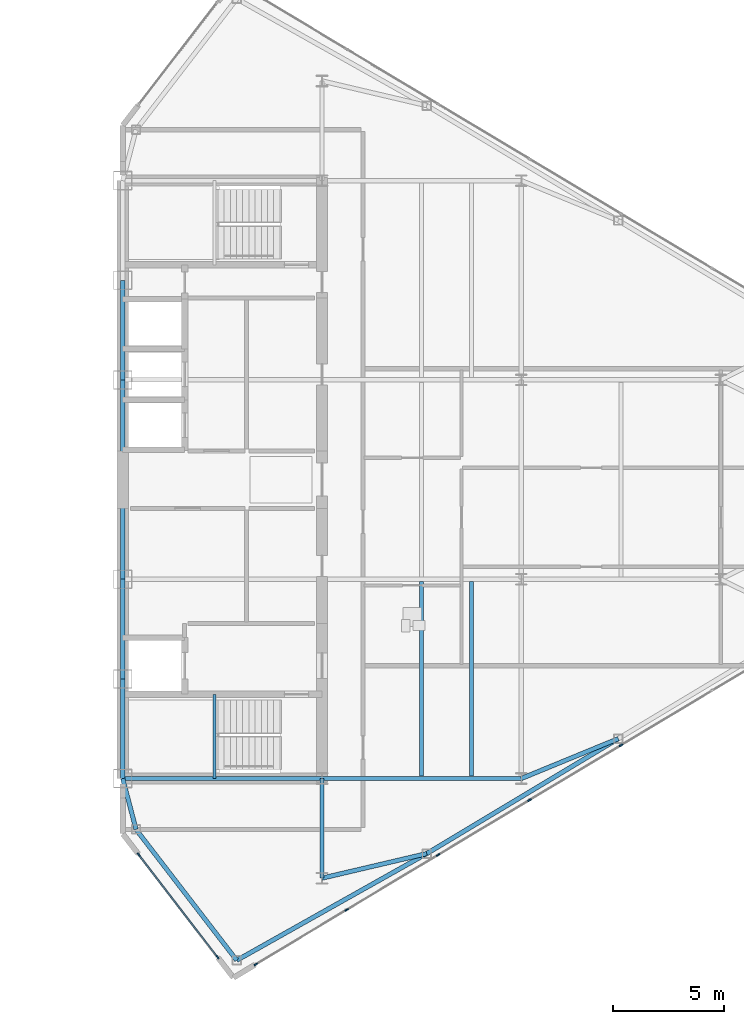
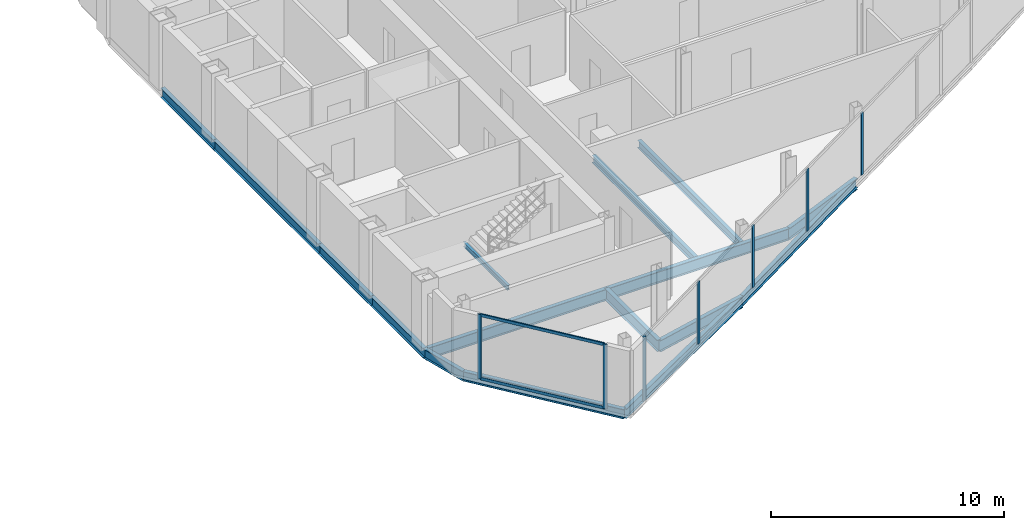
# One storey, part 11 of 25: 16 beams, 9 members, 2 elements without a shape of their own.
"""IFC4 building model written with IfcOpenShell, lengths in metres."""

from ifc_helpers import new_model, si_unit, direction, frame, origin, origin_2d, place, context, subcontext, project, spatial, rectangle, i_section, extrude, source, transform, mapped, material, layer, layer_set, material_profile, profile_set, type_object, type_shapes, element, aggregate, save


model = new_model("IFC4")

# Units and contexts
model_context = context("Model", 3, precision=1e-05, world=origin(), true_north=direction((0.0, 1.0)))
body_context = subcontext(model_context, "Body", "Model", "MODEL_VIEW")
ifc_project = project(units=[si_unit("LENGTHUNIT", "METRE"), si_unit("AREAUNIT", "SQUARE_METRE"), si_unit("VOLUMEUNIT", "CUBIC_METRE"), si_unit("PLANEANGLEUNIT", "RADIAN"), si_unit("MASSUNIT", "GRAM", prefix="KILO")], contexts=[model_context])

# Site, building, storey
site_placement = place(None, origin())
site = spatial("IfcSite", under=ifc_project, at=site_placement, CompositionType="ELEMENT")
building_placement = place(site_placement, origin())
building = spatial("IfcBuilding", under=site, at=building_placement, Name="Seokmaru Belvedere", CompositionType="ELEMENT")
storey_placement = place(building_placement, frame((0.0, 0.0, 213.89990234375)))
storey = spatial("IfcBuildingStorey", under=building, at=storey_placement, Name="L57", CompositionType="ELEMENT", Elevation=213.89990234375)

# Beams
ifc_material_1 = material(Name="Steel SM355 (355 MPa)", Category="steel")
ifc_material_profile_1 = material_profile(ifc_material_1, i_section(OverallWidth=0.199951171875, OverallDepth=0.5, WebThickness=0.010009765625, FlangeThickness=0.01611328125, at=origin_2d()), Name="H-500x200x10x16")
ifc_profile_set_1 = profile_set([ifc_material_profile_1], Name="Steel SM355 (355 MPa)")
beam_type_1 = type_object("IfcBeamType", Name="Perimeter Spandrel Beam H-500", PredefinedType="SPANDREL", material=ifc_profile_set_1)
shared_shape_1 = source(origin(), body_context, "Body", "SweptSolid", [
    extrude(i_section(OverallWidth=0.199951171875, OverallDepth=0.5, WebThickness=0.010009765625, FlangeThickness=0.01611328125, at=origin_2d()), origin(), (0.0, 0.0, 1.0), 4.5),
])
for number, where, z_axis, x_axis, name in (
    (1, (27.5, -13.5, -0.469970703125), (0.0, 1.0, 0.0), (-1.0, 0.0, 0.0), "L57 E Portal Spine Spandrel 1"),
    (2, (27.5, -9.0, -0.469970703125), (0.0, 1.0, 0.0), (-1.0, 0.0, 0.0), "L57 E Portal Spine Spandrel 2"),
    (3, (27.5, 4.5, -0.469970703125), (0.0, 1.0, 0.0), (-1.0, 0.0, 0.0), "L57 E Portal Spine Spandrel 4"),
):
    element("IfcBeam", number, at=place(storey_placement, frame(where, z_axis=z_axis, x_axis=x_axis)), inside=storey, type_object=beam_type_1, Name=name, PredefinedType="SPANDREL", context=body_context, shape_type="MappedRepresentation", body=[
        mapped(shared_shape_1, transform((0.0, 0.0, 0.0), scale=1.0)),
    ])
shared_shape_2 = source(origin(), body_context, "Body", "SweptSolid", [
    extrude(i_section(OverallWidth=0.199951171875, OverallDepth=0.5, WebThickness=0.010009765625, FlangeThickness=0.01611328125, at=origin_2d()), origin(), (0.0, 0.0, 1.0), 9.0),
])
beam_1_placement = place(storey_placement, frame((27.5, -4.5, -0.469970703125), z_axis=(0.0, 1.0, 0.0), x_axis=(-1.0, 0.0, 0.0)))
element("IfcBeam", 4, at=beam_1_placement, inside=storey, type_object=beam_type_1, Name="L57 E Portal Spine Spandrel 3", PredefinedType="SPANDREL", context=body_context, shape_type="MappedRepresentation", body=[
    mapped(shared_shape_2, transform((0.0, 0.0, 0.0), scale=1.0)),
])
ifc_material_profile_2 = material_profile(ifc_material_1, i_section(OverallWidth=0.199951171875, OverallDepth=0.60009765625, WebThickness=0.010986328125, FlangeThickness=0.01708984375, at=origin_2d()), Name="H-600x200x11x17")
ifc_profile_set_2 = profile_set([ifc_material_profile_2], Name="Steel SM355 (355 MPa)")
beam_type_2 = type_object("IfcBeamType", Name="Primary Floor Girder H-600", PredefinedType="BEAM", material=ifc_profile_set_2)
shared_shape_3 = source(origin(), body_context, "Body", "SweptSolid", [
    extrude(i_section(OverallWidth=0.199951171875, OverallDepth=0.60009765625, WebThickness=0.010986328125, FlangeThickness=0.01708984375, at=origin_2d()), origin(), (0.0, 0.0, 1.0), 9.0),
])
for number, where, z_axis, x_axis, name in (
    (5, (27.5, -13.5, -0.52001953125), (1.0, 0.0, 0.0), (0.0, 1.0, 0.0), "L57 E Core Tie Girder 1"),
    (6, (36.5, -13.5, -0.52001953125), (1.0, 0.0, 0.0), (0.0, 1.0, 0.0), "L57 E Wing Primary Girder 1"),
):
    element("IfcBeam", number, at=place(storey_placement, frame(where, z_axis=z_axis, x_axis=x_axis)), inside=storey, type_object=beam_type_2, Name=name, PredefinedType="BEAM", context=body_context, shape_type="MappedRepresentation", body=[
        mapped(shared_shape_3, transform((0.0, 0.0, 0.0), scale=1.0)),
    ])
ifc_material_profile_3 = material_profile(ifc_material_1, i_section(OverallWidth=0.18505859375, OverallDepth=0.389892578125, WebThickness=0.008056640625, FlangeThickness=0.011962890625, at=origin_2d()), Name="H-390x185x8x12")
ifc_profile_set_3 = profile_set([ifc_material_profile_3], Name="Steel SM355 (355 MPa)")
beam_type_3 = type_object("IfcBeamType", Name="Secondary Floor Joist H-350", PredefinedType="JOIST", material=ifc_profile_set_3)
shared_shape_4 = source(origin(), body_context, "Body", "SweptSolid", [
    extrude(i_section(OverallWidth=0.18505859375, OverallDepth=0.389892578125, WebThickness=0.008056640625, FlangeThickness=0.011962890625, at=origin_2d()), origin(), (0.0, 0.0, 1.0), 8.7900390625),
])
type_shapes(beam_type_3, [shared_shape_4])
for number, where, z_axis, x_axis, name in (
    (7, (43.25, -13.39501953125, -0.414794921875), (0.0, 1.0, 0.0), (-1.0, 0.0, 0.0), "L57 E Wing Inner Secondary Joist 1"),
    (8, (41.0, -13.39501953125, -0.414794921875), (0.0, 1.0, 0.0), (-1.0, 0.0, 0.0), "L57 E Secondary Floor Joist 1"),
):
    element("IfcBeam", number, at=place(storey_placement, frame(where, z_axis=z_axis, x_axis=x_axis)), inside=storey, type_object=beam_type_3, Name=name, PredefinedType="JOIST", context=body_context, shape_type="MappedRepresentation", body=[
        mapped(shared_shape_4, transform((0.0, 0.0, 0.0), scale=1.0)),
    ])
shared_shape_5 = source(origin(), body_context, "Body", "SweptSolid", [
    extrude(i_section(OverallWidth=0.199951171875, OverallDepth=0.60009765625, WebThickness=0.010986328125, FlangeThickness=0.01708984375, at=origin_2d()), origin(), (0.0, 0.0, 1.0), 4.5),
])
beam_2_placement = place(storey_placement, frame((36.5, -18.0, -0.52001953125), z_axis=(0.0, 1.0, 0.0), x_axis=(-1.0, 0.0, 0.0)))
element("IfcBeam", 9, at=beam_2_placement, inside=storey, type_object=beam_type_2, Name="L57 E Core Shoulder Girder S", PredefinedType="BEAM", context=body_context, shape_type="MappedRepresentation", body=[
    mapped(shared_shape_5, transform((0.0, 0.0, 0.0), scale=1.0)),
])
shared_shape_6 = source(origin(), body_context, "Body", "SweptSolid", [
    extrude(i_section(OverallWidth=0.199951171875, OverallDepth=0.5, WebThickness=0.010009765625, FlangeThickness=0.01611328125, at=origin_2d()), origin(), (0.0, 0.0, 1.0), 9.842041015625),
])
beam_3_placement = place(storey_placement, frame((32.649658203125, -21.71044921875, -0.469970703125), z_axis=(0.871782151818, 0.489893743349, 0.0), x_axis=(-0.489893743349, 0.871782151818, 0.0)))
element("IfcBeam", 10, at=beam_3_placement, inside=storey, type_object=beam_type_1, Name="L57 E Faceted Flank Spandrel S-1", PredefinedType="SPANDREL", context=body_context, shape_type="MappedRepresentation", body=[
    mapped(shared_shape_6, transform((0.0, 0.0, 0.0), scale=1.0)),
])
shared_shape_7 = source(origin(), body_context, "Body", "SweptSolid", [
    extrude(i_section(OverallWidth=0.199951171875, OverallDepth=0.5, WebThickness=0.010009765625, FlangeThickness=0.01611328125, at=origin_2d()), origin(), (0.0, 0.0, 1.0), 10.087646484375),
])
beam_4_placement = place(storey_placement, frame((41.229736328125, -16.888916015625, -0.469970703125), z_axis=(0.857499332045, 0.514485078056, 0.0), x_axis=(-0.514485078056, 0.857499332045, 0.0)))
element("IfcBeam", 11, at=beam_4_placement, inside=storey, type_object=beam_type_1, Name="L57 E Faceted Flank Spandrel S-2", PredefinedType="SPANDREL", context=body_context, shape_type="MappedRepresentation", body=[
    mapped(shared_shape_7, transform((0.0, 0.0, 0.0), scale=1.0)),
])
shared_shape_8 = source(origin(), body_context, "Body", "SweptSolid", [
    extrude(i_section(OverallWidth=0.199951171875, OverallDepth=0.5, WebThickness=0.010009765625, FlangeThickness=0.01611328125, at=origin_2d()), origin(), (0.0, 0.0, 1.0), 7.4619140625),
])
beam_5_placement = place(storey_placement, frame((32.649658203125, -21.71044921875, -0.469970703125), z_axis=(-0.609702854945, 0.792630070507, 0.0), x_axis=(-0.792630070507, -0.609702854945, 0.0)))
element("IfcBeam", 12, at=beam_5_placement, inside=storey, type_object=beam_type_1, Name="L57 E Shoulder Chamfer Spandrel S", PredefinedType="SPANDREL", context=body_context, shape_type="MappedRepresentation", body=[
    mapped(shared_shape_8, transform((0.0, 0.0, 0.0), scale=1.0)),
])
shared_shape_9 = source(origin(), body_context, "Body", "SweptSolid", [
    extrude(i_section(OverallWidth=0.199951171875, OverallDepth=0.5, WebThickness=0.010009765625, FlangeThickness=0.01611328125, at=origin_2d()), origin(), (0.0, 0.0, 1.0), 2.373046875),
])
type_shapes(beam_type_1, [shared_shape_1, shared_shape_2, shared_shape_6, shared_shape_7, shared_shape_8, shared_shape_9])
beam_6_placement = place(storey_placement, frame((28.10009765625, -15.7958984375, -0.469970703125), z_axis=(-0.252882558842, 0.967496982648, 0.0), x_axis=(-0.967496982648, -0.252882558842, 0.0)))
element("IfcBeam", 13, at=beam_6_placement, inside=storey, type_object=beam_type_1, Name="L57 E Shoulder Spine Spandrel S", PredefinedType="SPANDREL", context=body_context, shape_type="MappedRepresentation", body=[
    mapped(shared_shape_9, transform((0.0, 0.0, 0.0), scale=1.0)),
])
shared_shape_10 = source(origin(), body_context, "Body", "SweptSolid", [
    extrude(i_section(OverallWidth=0.199951171875, OverallDepth=0.60009765625, WebThickness=0.010986328125, FlangeThickness=0.01708984375, at=origin_2d()), origin(), (0.0, 0.0, 1.0), 4.8583984375),
])
beam_7_placement = place(storey_placement, frame((41.229736328125, -16.888916015625, -0.52001953125), z_axis=(-0.97349948295, -0.228689214211, 0.0), x_axis=(0.228689214211, -0.97349948295, 0.0)))
element("IfcBeam", 14, at=beam_7_placement, inside=storey, type_object=beam_type_2, Name="L57 E Flank Radial Floor Girder S-1", PredefinedType="BEAM", context=body_context, shape_type="MappedRepresentation", body=[
    mapped(shared_shape_10, transform((0.0, 0.0, 0.0), scale=1.0)),
])
shared_shape_11 = source(origin(), body_context, "Body", "SweptSolid", [
    extrude(i_section(OverallWidth=0.199951171875, OverallDepth=0.60009765625, WebThickness=0.010986328125, FlangeThickness=0.01708984375, at=origin_2d()), origin(), (0.0, 0.0, 1.0), 4.73583984375),
])
type_shapes(beam_type_2, [shared_shape_3, shared_shape_5, shared_shape_10, shared_shape_11])
beam_8_placement = place(storey_placement, frame((49.8798828125, -11.698974609375, -0.52001953125), z_axis=(-0.924860562953, -0.380306375301, 0.0), x_axis=(0.380306375301, -0.924860562953, 0.0)))
element("IfcBeam", 15, at=beam_8_placement, inside=storey, type_object=beam_type_2, Name="L57 E Flank Radial Floor Girder S-2", PredefinedType="BEAM", context=body_context, shape_type="MappedRepresentation", body=[
    mapped(shared_shape_11, transform((0.0, 0.0, 0.0), scale=1.0)),
])

# Curtain wall, members
ifc_material_2 = material(Name="Bronze Triple Insulating Glass", Category="glass")
ifc_layer = layer(ifc_material_2, 0.179931640625)
ifc_layer_set = layer_set([ifc_layer], Name="Bronze Triple Insulating Glass")
curtain_wall_type = type_object("IfcCurtainWallType", Name="High-Rise Wind-Corner Curtain Wall System CW-5", PredefinedType="NOTDEFINED", material=ifc_layer_set)
curtain_wall_1_placement = place(storey_placement, origin())
curtain_wall_1 = element("IfcCurtainWall", 16, at=curtain_wall_1_placement, inside=storey, type_object=curtain_wall_type, Name="L57 Curtain Wall EF1", PredefinedType="NOTDEFINED")
ifc_material_3 = material(Name="Anodised Bronze Aluminium", Category="aluminium")
ifc_material_profile_4 = material_profile(ifc_material_3, rectangle(XDim=0.06494140625, YDim=0.179931640625, at=origin_2d()), Name="CW-M-65x180")
ifc_profile_set_4 = profile_set([ifc_material_profile_4], Name="Anodised Bronze Aluminium")
member_type_1 = type_object("IfcMemberType", Name="Bronze Unitised Mullion 65x180", PredefinedType="MULLION", material=ifc_profile_set_4)
shared_shape_12 = source(origin(), body_context, "Body", "SweptSolid", [
    extrude(rectangle(XDim=0.06494140625, YDim=0.179931640625, at=origin_2d()), origin(), (0.0, 0.0, 1.0), 3.25),
])
member_1_placement = place(storey_placement, frame((37.614501953125, -19.43115234375, 0.065185546875), z_axis=(0.0, 0.0, 1.0), x_axis=(-0.514494909364, 0.85749343335, 0.0)))
member_1 = element("IfcMember", 17, at=member_1_placement, type_object=member_type_1, Name="CW:L57:EF1 Mullion 2", PredefinedType="MULLION", context=body_context, shape_type="MappedRepresentation", body=[
    mapped(shared_shape_12, transform((0.0, 0.0, 0.0), scale=1.0)),
])
member_2_placement = place(storey_placement, frame((41.7431640625, -16.9541015625, 0.065185546875), z_axis=(0.0, 0.0, 1.0), x_axis=(-0.514494909364, 0.85749343335, 0.0)))
member_2 = element("IfcMember", 18, at=member_2_placement, type_object=member_type_1, Name="CW:L57:EF1 Mullion 3", PredefinedType="MULLION", context=body_context, shape_type="MappedRepresentation", body=[
    mapped(shared_shape_12, transform((0.0, 0.0, 0.0), scale=1.0)),
])
member_3_placement = place(storey_placement, frame((45.87158203125, -14.47705078125, 0.065185546875), z_axis=(0.0, 0.0, 1.0), x_axis=(-0.514494909364, 0.85749343335, 0.0)))
member_3 = element("IfcMember", 19, at=member_3_placement, type_object=member_type_1, Name="CW:L57:EF1 Mullion 4", PredefinedType="MULLION", context=body_context, shape_type="MappedRepresentation", body=[
    mapped(shared_shape_12, transform((0.0, 0.0, 0.0), scale=1.0)),
])
member_4_placement = place(storey_placement, frame((50.0, -12.0, 0.065185546875), z_axis=(0.0, 0.0, 1.0), x_axis=(-0.514494909364, 0.85749343335, 0.0)))
member_4 = element("IfcMember", 20, at=member_4_placement, type_object=member_type_1, Name="CW:L57:EF1 Mullion 5", PredefinedType="MULLION", context=body_context, shape_type="MappedRepresentation", body=[
    mapped(shared_shape_12, transform((0.0, 0.0, 0.0), scale=1.0)),
])
shared_shape_13 = source(origin(), body_context, "Body", "SweptSolid", [
    extrude(rectangle(XDim=0.06494140625, YDim=0.179931640625, at=origin_2d()), origin(), (0.0, 0.0, 1.0), 3.380126953125),
])
type_shapes(member_type_1, [shared_shape_12, shared_shape_13])
member_5_placement = place(storey_placement, frame((33.513916015625, -21.8916015625, 0.0), z_axis=(0.0, 0.0, 1.0), x_axis=(-0.514494909364, 0.85749343335, 0.0)))
member_5 = element("IfcMember", 21, at=member_5_placement, type_object=member_type_1, Name="CW:L57:EF1 Mullion 1", PredefinedType="MULLION", context=body_context, shape_type="MappedRepresentation", body=[
    mapped(shared_shape_13, transform((0.0, 0.0, 0.0), scale=1.0)),
])
aggregate(curtain_wall_1, [member_5, member_1, member_2, member_3, member_4])

curtain_wall_2_placement = place(storey_placement, origin())
curtain_wall_2 = element("IfcCurtainWall", 22, at=curtain_wall_2_placement, inside=storey, type_object=curtain_wall_type, Name="L57 Curtain Wall EF6", PredefinedType="NOTDEFINED")
member_6_placement = place(storey_placement, frame((28.220947265625, -16.937255859375, 0.0), z_axis=(0.0, 0.0, 1.0), x_axis=(0.792631353244, 0.609701187349, 0.0)))
member_6 = element("IfcMember", 23, at=member_6_placement, type_object=member_type_1, Name="CW:L57:EF6 Mullion 1", PredefinedType="MULLION", context=body_context, shape_type="MappedRepresentation", body=[
    mapped(shared_shape_13, transform((0.0, 0.0, 0.0), scale=1.0)),
])
member_7_placement = place(storey_placement, frame((31.779052734375, -21.562744140625, 0.0), z_axis=(0.0, 0.0, 1.0), x_axis=(0.792631353244, 0.609701187349, 0.0)))
member_7 = element("IfcMember", 24, at=member_7_placement, type_object=member_type_1, Name="CW:L57:EF6 Mullion 2", PredefinedType="MULLION", context=body_context, shape_type="MappedRepresentation", body=[
    mapped(shared_shape_13, transform((0.0, 0.0, 0.0), scale=1.0)),
])
ifc_material_profile_5 = material_profile(ifc_material_3, rectangle(XDim=0.06494140625, YDim=0.14990234375, at=origin_2d()), Name="CW-T-65x150")
ifc_profile_set_5 = profile_set([ifc_material_profile_5], Name="Anodised Bronze Aluminium")
member_type_2 = type_object("IfcMemberType", Name="Bronze Unitised Transom 65x150", PredefinedType="USERDEFINED", material=ifc_profile_set_5)
shared_shape_14 = source(origin(), body_context, "Body", "SweptSolid", [
    extrude(rectangle(XDim=0.06494140625, YDim=0.14990234375, at=origin_2d()), origin(), (0.0, 0.0, 1.0), 5.77099609375),
])
type_shapes(member_type_2, [shared_shape_14])
member_8_placement = place(storey_placement, frame((28.24072265625, -16.962890625, 0.03271484375), z_axis=(0.60970258286, -0.792630279799, 0.0), x_axis=(0.792630279799, 0.60970258286, 0.0)))
member_8 = element("IfcMember", 25, at=member_8_placement, type_object=member_type_2, Name="CW:L57:EF6 Continuous Transom 1", ObjectType="TRANSOM", PredefinedType="USERDEFINED", context=body_context, shape_type="MappedRepresentation", body=[
    mapped(shared_shape_14, transform((0.0, 0.0, 0.0), scale=1.0)),
])
member_9_placement = place(storey_placement, frame((28.24072265625, -16.962890625, 3.34765625), z_axis=(0.60970258286, -0.792630279799, 0.0), x_axis=(0.792630279799, 0.60970258286, 0.0)))
member_9 = element("IfcMember", 26, at=member_9_placement, type_object=member_type_2, Name="CW:L57:EF6 Continuous Transom 2", ObjectType="TRANSOM", PredefinedType="USERDEFINED", context=body_context, shape_type="MappedRepresentation", body=[
    mapped(shared_shape_14, transform((0.0, 0.0, 0.0), scale=1.0)),
])
aggregate(curtain_wall_2, [member_6, member_7, member_8, member_9])

# Beam
ifc_material_profile_6 = material_profile(ifc_material_1, i_section(OverallWidth=0.125, OverallDepth=0.25, WebThickness=0.006103515625, FlangeThickness=0.009033203125, at=origin_2d()), Name="H-250x125x6x9")
ifc_profile_set_6 = profile_set([ifc_material_profile_6], Name="Steel SM355 (355 MPa)")
beam_type_4 = type_object("IfcBeamType", Name="Stair Mid-Landing Support Beam H-250", PredefinedType="JOIST", material=ifc_profile_set_6)
shared_shape_15 = source(origin(), body_context, "Body", "SweptSolid", [
    extrude(i_section(OverallWidth=0.125, OverallDepth=0.25, WebThickness=0.006103515625, FlangeThickness=0.009033203125, at=origin_2d()), origin(), (0.0, 0.0, 1.0), 3.800048828125),
])
type_shapes(beam_type_4, [shared_shape_15])
beam_9_placement = place(storey_placement, frame((31.64990234375, -13.5, 1.47509765625), z_axis=(0.0, 1.0, 0.0), x_axis=(-1.0, 0.0, 0.0)))
element("IfcBeam", 27, at=beam_9_placement, inside=storey, type_object=beam_type_4, Name="L57 Stair ST-E1 Mid-Landing Support Beam 1", PredefinedType="JOIST", context=body_context, shape_type="MappedRepresentation", body=[
    mapped(shared_shape_15, transform((0.0, 0.0, 0.0), scale=1.0)),
])

save(model, "model.ifc")
